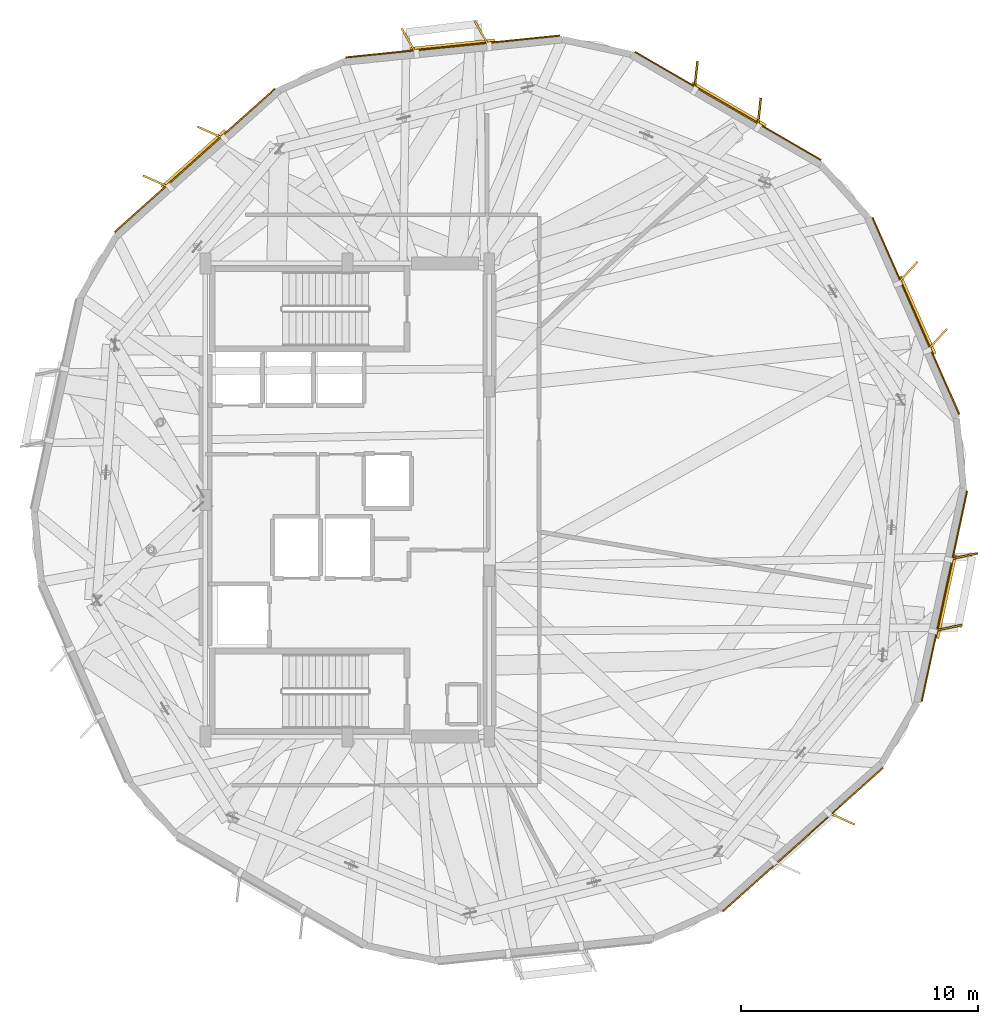
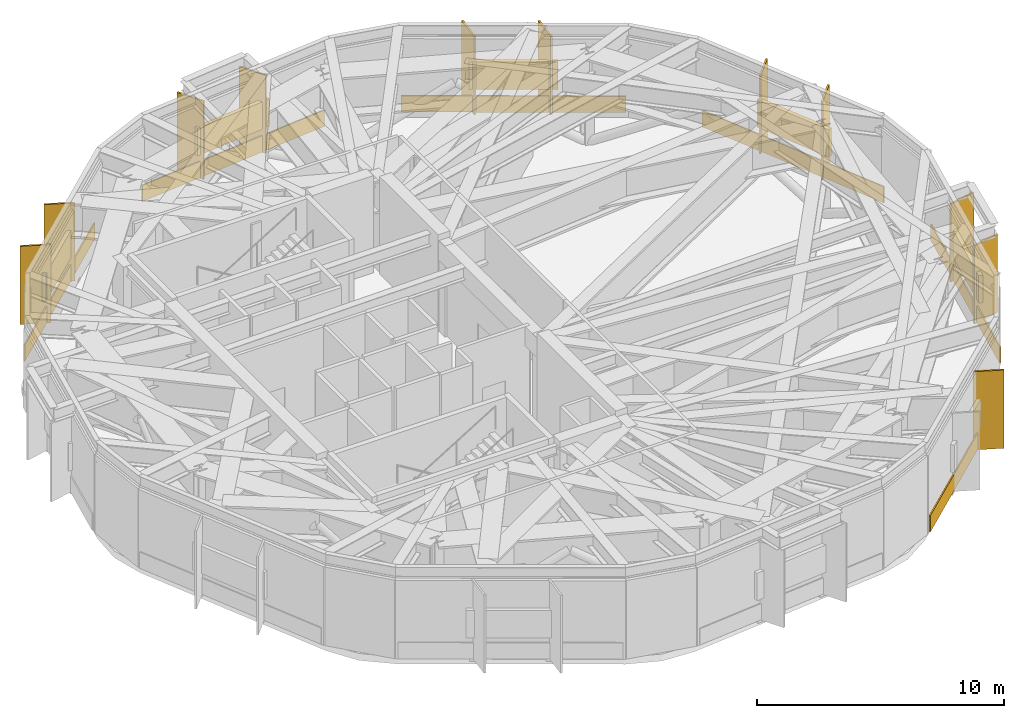
# One storey, part 14 of 14: 16 shading devices, 6 coverings.
"""IFC4 building model written with IfcOpenShell, lengths in metres."""

from ifc_helpers import new_model, si_unit, direction, frame, origin, origin_2d, place, context, subcontext, project, spatial, rectangle, extrude, material, layer, layer_set, type_object, element, save


model = new_model("IFC4")

# Units and contexts
model_context = context("Model", 3, precision=1e-05, world=origin(), true_north=direction((0.0, 1.0)))
body_context = subcontext(model_context, "Body", "Model", "MODEL_VIEW")
ifc_project = project(units=[si_unit("LENGTHUNIT", "METRE"), si_unit("AREAUNIT", "SQUARE_METRE"), si_unit("VOLUMEUNIT", "CUBIC_METRE"), si_unit("PLANEANGLEUNIT", "RADIAN"), si_unit("MASSUNIT", "GRAM", prefix="KILO")], contexts=[model_context])

# Site, building, storey
site_placement = place(None, origin())
site = spatial("IfcSite", under=ifc_project, at=site_placement, CompositionType="ELEMENT")
building_placement = place(site_placement, origin())
building = spatial("IfcBuilding", under=site, at=building_placement, Name="Soratama Intermodal Tower", CompositionType="ELEMENT")
storey_placement = place(building_placement, frame((0.0, 0.0, 185.800048828125)))
storey = spatial("IfcBuildingStorey", under=building, at=storey_placement, Name="L46", CompositionType="ELEMENT", Elevation=185.800048828125)

# Coverings
ifc_material_1 = material(Name="Honed Andean limestone cladding", Category="masonry")
ifc_layer_1 = layer(ifc_material_1, 0.06005859375)
ifc_layer_set_1 = layer_set([ifc_layer_1], Name="Honed Andean limestone cladding")
covering_type = type_object("IfcCoveringType", Name="CV-STONE-CLAD", PredefinedType="CLADDING", material=ifc_layer_set_1)
for number, where, z_axis, x_axis, name in (
    (1, (54.685546875, 41.65478515625, 0.0498046875), (0.0, 0.0, 1.0), (-0.864450336381, 0.502718227172, 0.0), "L46 Stone Cladding F01"),
    (2, (43.04638671875, 44.167236328125, 0.0498046875), (0.0, 0.0, 1.0), (-0.994845372916, -0.1014035699, 0.0), "L46 Stone Cladding F02"),
    (3, (32.1533203125, 39.358154296875, 0.0498046875), (0.0, 0.0, 1.0), (-0.745243290547, -0.66679264985, 0.0), "L46 Stone Cladding F03"),
    (4, (57.8466796875, 10.641845703125, 0.0498046875), (0.0, 0.0, 1.0), (0.745243290547, 0.66679264985, 0.0), "L46 Stone Cladding F08"),
):
    element("IfcCovering", number, at=place(storey_placement, frame(where, z_axis=z_axis, x_axis=x_axis)), inside=storey, type_object=covering_type, Name=name, PredefinedType="CLADDING", context=body_context, shape_type="SweptSolid", body=[
        extrude(rectangle(XDim=9.087158203125, YDim=0.06005859375, at=origin_2d()), origin(), (0.0, 0.0, 1.0), 0.800048828125),
    ])
covering_1_placement = place(storey_placement, frame((63.832763671875, 20.93505859375, 0.0498046875), z_axis=(0.0, 0.0, 1.0), x_axis=(0.210983601077, 0.977489601007, 0.0)))
element("IfcCovering", 5, at=covering_1_placement, inside=storey, type_object=covering_type, Name="L46 Stone Cladding F09", PredefinedType="CLADDING", context=body_context, shape_type="SweptSolid", body=[
    extrude(rectangle(XDim=9.08740234375, YDim=0.06005859375, at=origin_2d()), origin(), (0.0, 0.0, 1.0), 0.800048828125),
])
covering_2_placement = place(storey_placement, frame((62.62548828125, 32.781005859375, 0.0498046875), z_axis=(0.0, 0.0, 1.0), x_axis=(-0.403864652935, 0.914818748228, 0.0)))
element("IfcCovering", 6, at=covering_2_placement, inside=storey, type_object=covering_type, Name="L46 Stone Cladding F10", PredefinedType="CLADDING", context=body_context, shape_type="SweptSolid", body=[
    extrude(rectangle(XDim=9.087158203125, YDim=0.06005859375, at=origin_2d()), origin(), (0.0, 0.0, 1.0), 0.800048828125),
])

# Shading devices
ifc_material_2 = material(Name="Champagne anodised aluminium solar fin", Category="aluminium")
ifc_layer_2 = layer(ifc_material_2, 0.080078125)
ifc_layer_set_2 = layer_set([ifc_layer_2], Name="Champagne anodised aluminium solar fin")
shading_device_type_1 = type_object("IfcShadingDeviceType", Name="SH-FIN-1250", PredefinedType="USERDEFINED", material=ifc_layer_set_2)
for number, where, z_axis, x_axis, name in (
    (7, (56.005126953125, 41.36669921875, 0.02001953125), (0.0, 0.0, 1.0), (0.107652324982, 0.994188602291, 0.0), "L46 Solar Fin F01-1"),
    (8, (53.3291015625, 42.923095703125, 0.02001953125), (0.0, 0.0, 1.0), (0.107652324982, 0.994188602291, 0.0), "L46 Solar Fin F01-2"),
    (9, (44.283203125, 44.709716796875, 0.02001953125), (0.0, 0.0, 1.0), (-0.49727683803, 0.867591923867, 0.0), "L46 Solar Fin F02-1"),
    (10, (41.203369140625, 44.395751953125, 0.02001953125), (0.0, 0.0, 1.0), (-0.49727683803, 0.867591923867, 0.0), "L46 Solar Fin F02-2"),
    (11, (32.8349609375, 40.524169921875, 0.02001953125), (0.0, 0.0, 1.0), (-0.912263150732, 0.40960461889, 0.0), "L46 Solar Fin F03-1"),
    (12, (30.528076171875, 38.4599609375, 0.02001953125), (0.0, 0.0, 1.0), (-0.912263150732, 0.40960461889, 0.0), "L46 Solar Fin F03-2"),
    (13, (59.471923828125, 11.5400390625, 0.02001953125), (0.0, 0.0, 1.0), (0.912263150732, -0.40960461889, 0.0), "L46 Solar Fin F08-2"),
    (14, (63.966552734375, 19.591064453125, 0.02001953125), (0.0, 0.0, 1.0), (0.978795946539, 0.204837728554, 0.0), "L46 Solar Fin F09-1"),
    (15, (64.61962890625, 22.6171875, 0.02001953125), (0.0, 0.0, 1.0), (0.978795946539, 0.204837728554, 0.0), "L46 Solar Fin F09-2"),
    (16, (63.5234375, 31.772216796875, 0.02001953125), (0.0, 0.0, 1.0), (0.671461958818, 0.741039025868, 0.0), "L46 Solar Fin F10-1"),
    (17, (62.273193359375, 34.604248046875, 0.02001953125), (0.0, 0.0, 1.0), (0.671461958818, 0.741039025868, 0.0), "L46 Solar Fin F10-2"),
):
    element("IfcShadingDevice", number, at=place(storey_placement, frame(where, z_axis=z_axis, x_axis=x_axis)), inside=storey, type_object=shading_device_type_1, Name=name, ObjectType="FIN", PredefinedType="USERDEFINED", context=body_context, shape_type="SweptSolid", body=[
        extrude(rectangle(XDim=1.25, YDim=0.080078125, at=origin_2d()), origin(), (0.0, 0.0, 1.0), 3.85888671875),
    ])
ifc_material_3 = material(Name="Anodised aluminium weather louvre", Category="aluminium")
ifc_layer_3 = layer(ifc_material_3, 0.1201171875)
ifc_layer_set_3 = layer_set([ifc_layer_3], Name="Anodised aluminium weather louvre")
shading_device_type_2 = type_object("IfcShadingDeviceType", Name="SH-LOUVRE-PLANT", PredefinedType="JALOUSIE", material=ifc_layer_set_3)
for number, where, z_axis, x_axis, name in (
    (18, (54.7158203125, 41.706787109375, 1.1748046875), (0.0, 0.0, 1.0), (-0.864450336381, 0.502718227172, 0.0), "L46 Acoustic Louvre F01"),
    (19, (43.040283203125, 44.226806640625, 1.1748046875), (0.0, 0.0, 1.0), (-0.994845372916, -0.1014035699, 0.0), "L46 Acoustic Louvre F02"),
    (20, (32.11328125, 39.40283203125, 1.1748046875), (0.0, 0.0, 1.0), (-0.745243290547, -0.66679264985, 0.0), "L46 Acoustic Louvre F03"),
    (21, (63.8916015625, 20.92236328125, 1.1748046875), (0.0, 0.0, 1.0), (0.210983601077, 0.977489601007, 0.0), "L46 Acoustic Louvre F09"),
    (22, (62.680419921875, 32.805419921875, 1.1748046875), (0.0, 0.0, 1.0), (-0.403864652935, 0.914818748228, 0.0), "L46 Acoustic Louvre F10"),
):
    element("IfcShadingDevice", number, at=place(storey_placement, frame(where, z_axis=z_axis, x_axis=x_axis)), inside=storey, type_object=shading_device_type_2, Name=name, PredefinedType="JALOUSIE", context=body_context, shape_type="SweptSolid", body=[
        extrude(rectangle(XDim=3.60009765625, YDim=0.179931640625, at=origin_2d()), origin(), (0.0, 0.0, 1.0), 1.35009765625),
    ])

save(model, "model.ifc")
